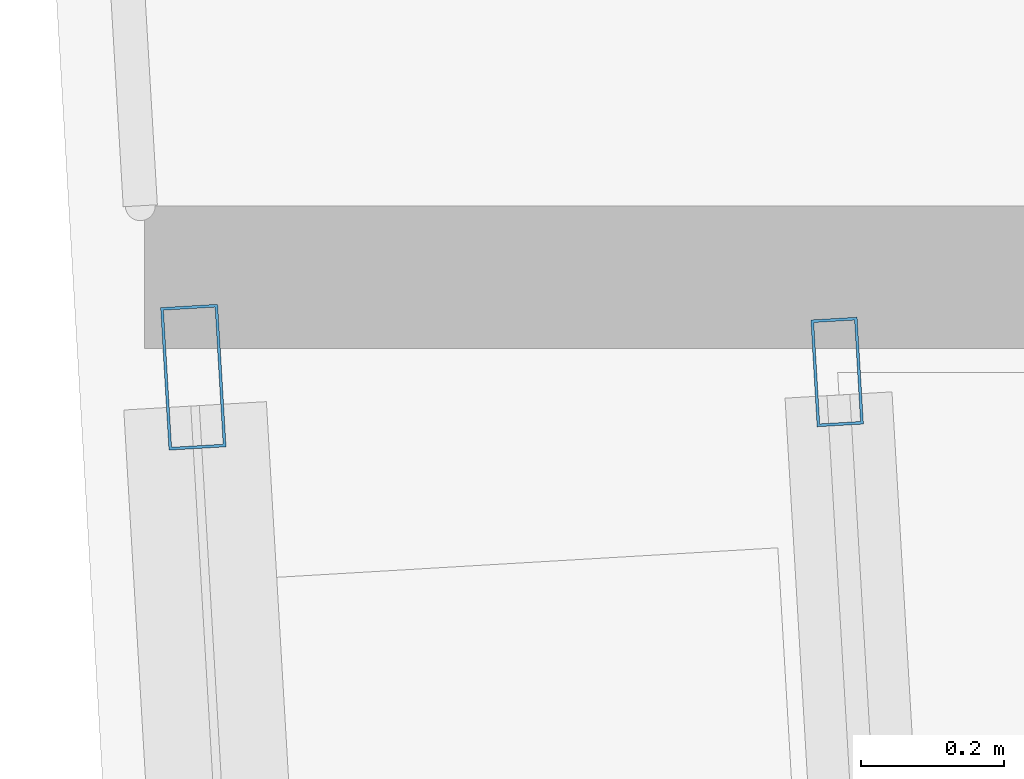
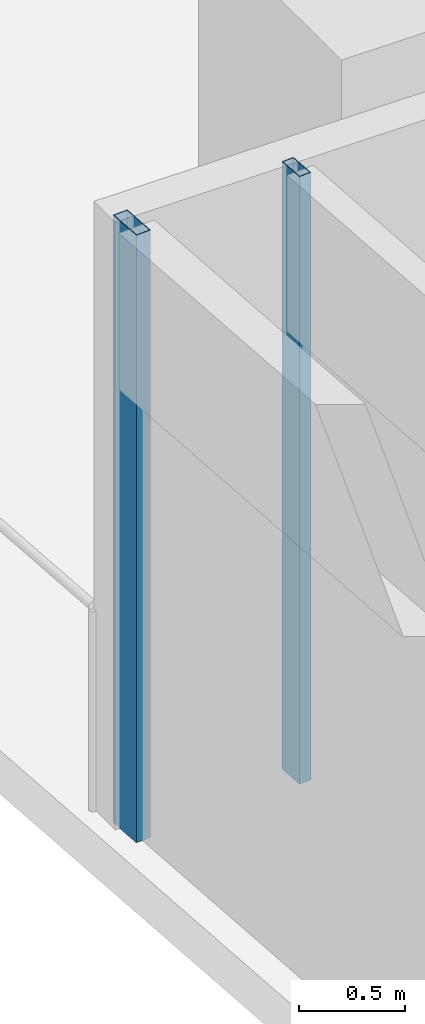
# One storey, part 5 of 35: 2 members, 2 elements without a shape of their own.
"""IFC4 building model written with IfcOpenShell, lengths in metres."""

from ifc_helpers import new_model, si_unit, direction, frame, origin, origin_2d, place, context, subcontext, project, spatial, hollow_rectangle, extrude, material, material_profile, profile_set, type_object, element, aggregate, save


model = new_model("IFC4")

# Units and contexts
model_context = context("Model", 3, precision=1e-05, world=origin(), true_north=direction((0.0, 1.0)))
body_context = subcontext(model_context, "Body", "Model", "MODEL_VIEW")
ifc_project = project(units=[si_unit("LENGTHUNIT", "METRE"), si_unit("AREAUNIT", "SQUARE_METRE"), si_unit("VOLUMEUNIT", "CUBIC_METRE"), si_unit("PLANEANGLEUNIT", "RADIAN"), si_unit("MASSUNIT", "GRAM", prefix="KILO")], contexts=[model_context])

# Site, building, storey
site_placement = place(None, origin())
site = spatial("IfcSite", under=ifc_project, at=site_placement, CompositionType="ELEMENT")
building_placement = place(site_placement, origin())
building = spatial("IfcBuilding", under=site, at=building_placement, Name="Rekha Terrace Tower", CompositionType="ELEMENT")
storey_placement = place(building_placement, frame((0.0, 0.0, 191.449951171875)))
storey = spatial("IfcBuildingStorey", under=building, at=storey_placement, Name="L48", CompositionType="ELEMENT", Elevation=191.449951171875)

# Curtain wall, member
ifc_material_1 = material(Name="Aluminium framing", Category="aluminium")
curtain_wall_type_1 = type_object("IfcCurtainWallType", Name="CW1 double skin inner glazing", PredefinedType="USERDEFINED", material=ifc_material_1)
curtain_wall_1_placement = place(storey_placement, origin())
curtain_wall_1 = element("IfcCurtainWall", 1, at=curtain_wall_1_placement, inside=storey, type_object=curtain_wall_type_1, Name="CW1 double skin inner glazing", ObjectType="DOUBLE SKIN INNER GLAZING", PredefinedType="USERDEFINED")
ifc_material_2 = material(Name="Aluminium mullion section", Category="aluminium")
ifc_material_profile_1 = material_profile(ifc_material_2, hollow_rectangle(XDim=0.06494140625, YDim=0.14990234375, WallThickness=0.00390625, at=origin_2d()), Name="AL RHS 65x150")
ifc_profile_set_1 = profile_set([ifc_material_profile_1], Name="Aluminium mullion section")
member_type_1 = type_object("IfcMemberType", Name="CW1 mullion RHS 65 x 150", PredefinedType="MULLION", material=ifc_profile_set_1)
member_1_placement = place(storey_placement, frame((7.2802734375, 24.179443359375, 0.0), z_axis=(0.0, 0.0, 1.0), x_axis=(0.998271839274, 0.058765082429, 0.0)))
member_1 = element("IfcMember", 2, at=member_1_placement, type_object=member_type_1, Name="CW1 mullion 1", PredefinedType="MULLION", context=body_context, shape_type="SweptSolid", body=[
    extrude(hollow_rectangle(XDim=0.06494140625, YDim=0.14990234375, WallThickness=0.00390625, at=origin_2d()), origin(), (0.0, 0.0, 1.0), 3.5),
])
aggregate(curtain_wall_1, [member_1])

curtain_wall_type_2 = type_object("IfcCurtainWallType", Name="CW2 double skin outer glazing", PredefinedType="USERDEFINED", material=ifc_material_1)
curtain_wall_2_placement = place(storey_placement, origin())
curtain_wall_2 = element("IfcCurtainWall", 3, at=curtain_wall_2_placement, inside=storey, type_object=curtain_wall_type_2, Name="CW2 double skin outer glazing", ObjectType="DOUBLE SKIN OUTER GLAZING", PredefinedType="USERDEFINED")
ifc_material_profile_2 = material_profile(ifc_material_2, hollow_rectangle(XDim=0.080078125, YDim=0.199951171875, WallThickness=0.00390625, at=origin_2d()), Name="AL RHS 80x200")
ifc_profile_set_2 = profile_set([ifc_material_profile_2], Name="Aluminium mullion section")
member_type_2 = type_object("IfcMemberType", Name="CW2 mullion RHS 80 x 200", PredefinedType="MULLION", material=ifc_profile_set_2)
member_2_placement = place(storey_placement, frame((6.379150390625, 24.172119140625, 0.0), z_axis=(0.0, 0.0, 1.0), x_axis=(0.998271839268, 0.058765082534, 0.0)))
member_2 = element("IfcMember", 4, at=member_2_placement, type_object=member_type_2, Name="CW2 mullion 1", PredefinedType="MULLION", context=body_context, shape_type="SweptSolid", body=[
    extrude(hollow_rectangle(XDim=0.080078125, YDim=0.199951171875, WallThickness=0.00390625, at=origin_2d()), origin(), (0.0, 0.0, 1.0), 3.5),
])
aggregate(curtain_wall_2, [member_2])

save(model, "model.ifc")
